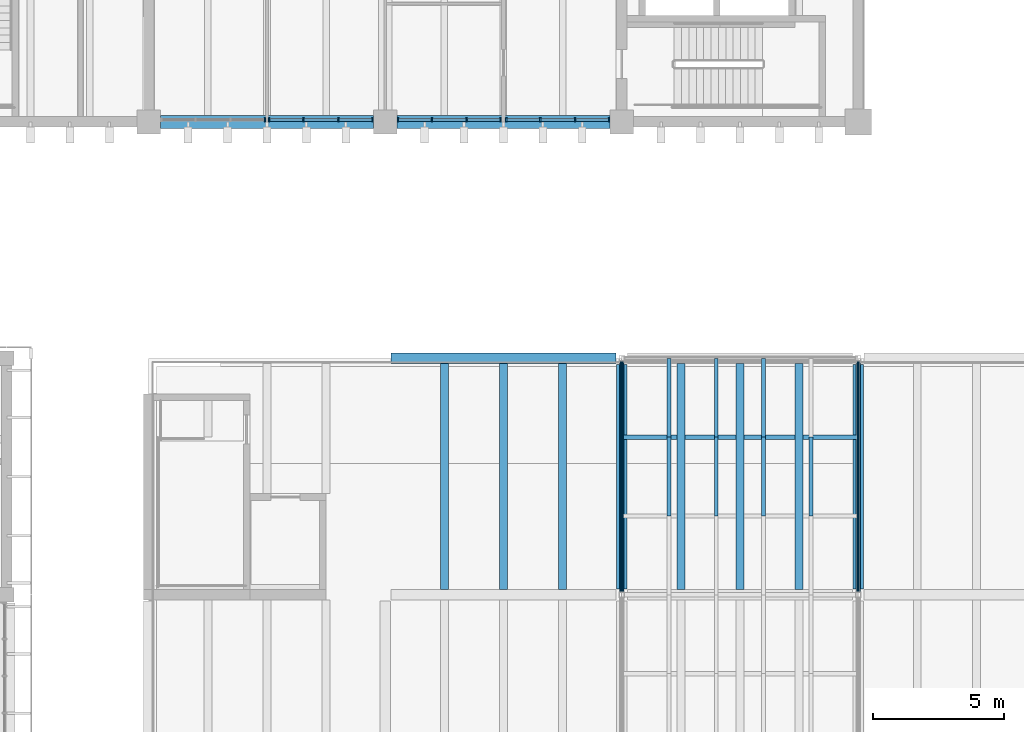
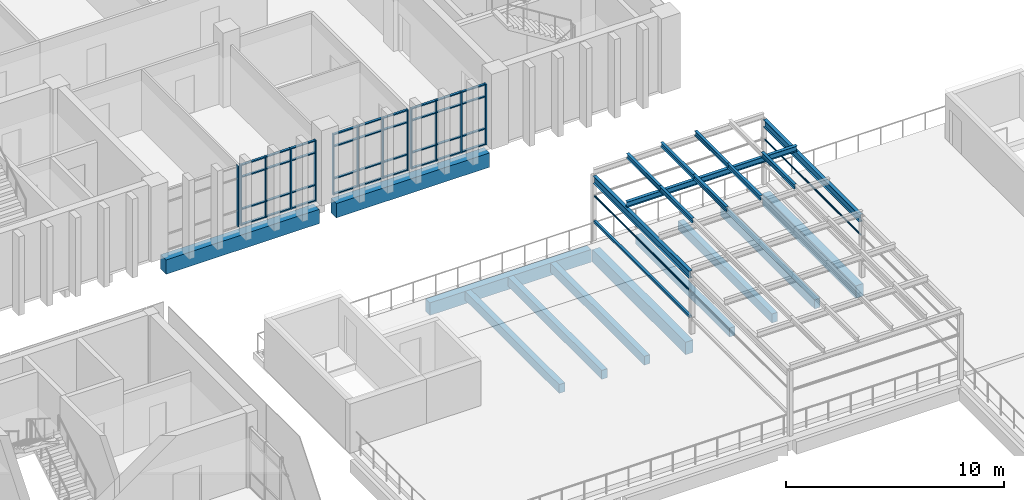
# One storey, part 24 of 74: 59 members, 14 beams, 4 elements without a shape of their own.
"""IFC4 building model written with IfcOpenShell, lengths in metres."""

from ifc_helpers import new_model, si_unit, direction, frame, origin, origin_2d, place, context, subcontext, project, spatial, rectangle, hollow_rectangle, hollow_circle, i_section, extrude, material, material_profile, profile_set, type_object, element, aggregate, save


model = new_model("IFC4")

# Units and contexts
model_context = context("Model", 3, precision=1e-05, world=origin(), true_north=direction((0.0, 1.0)))
body_context = subcontext(model_context, "Body", "Model", "MODEL_VIEW")
ifc_project = project(units=[si_unit("LENGTHUNIT", "METRE"), si_unit("AREAUNIT", "SQUARE_METRE"), si_unit("VOLUMEUNIT", "CUBIC_METRE"), si_unit("PLANEANGLEUNIT", "RADIAN"), si_unit("MASSUNIT", "GRAM", prefix="KILO")], contexts=[model_context])

# Site, building, storey
site_placement = place(None, origin())
site = spatial("IfcSite", under=ifc_project, at=site_placement, CompositionType="ELEMENT")
building_placement = place(site_placement, origin())
building = spatial("IfcBuilding", under=site, at=building_placement, Name="Merrow Basin Faculty of Sciences", CompositionType="ELEMENT")
storey_placement = place(building_placement, frame((0.0, 0.0, 13.5)))
storey = spatial("IfcBuildingStorey", under=building, at=storey_placement, Name="L03", CompositionType="ELEMENT", Elevation=13.5)

# Curtain wall, member
ifc_material_1 = material(Name="Aluminium alloy 6063", Category="aluminium")
curtain_wall_type = type_object("IfcCurtainWallType", Name="Unitised curtain wall 160", PredefinedType="NOTDEFINED", material=ifc_material_1)
curtain_wall_1_placement = place(storey_placement, origin())
curtain_wall_1 = element("IfcCurtainWall", 1, at=curtain_wall_1_placement, inside=storey, type_object=curtain_wall_type, Name="S curtain wall L03 1", PredefinedType="NOTDEFINED")
ifc_material_2 = material(Name="Aluminium alloy 6063", Category="aluminium")
ifc_material_profile_1 = material_profile(ifc_material_2, rectangle(XDim=0.159912109375, YDim=0.06005859375, at=origin_2d()))
ifc_profile_set_1 = profile_set([ifc_material_profile_1], Name="Aluminium alloy 6063")
member_type_1 = type_object("IfcMemberType", Name="Aluminium mullion 60x160", PredefinedType="MULLION", material=ifc_profile_set_1)
member_1_placement = place(storey_placement, frame((31.419921875, 142.080078125, 0.0), z_axis=(0.0, 0.0, 1.0), x_axis=(0.0, 1.0, 0.0)))
member_1 = element("IfcMember", 2, at=member_1_placement, type_object=member_type_1, Name="CW3 mullion 4", PredefinedType="MULLION", context=body_context, shape_type="SweptSolid", body=[
    extrude(rectangle(XDim=0.159912109375, YDim=0.06005859375, at=origin_2d()), origin(), (0.0, 0.0, 1.0), 3.39990234375),
])
aggregate(curtain_wall_1, [member_1])

# Curtain wall, members
curtain_wall_2_placement = place(storey_placement, origin())
curtain_wall_2 = element("IfcCurtainWall", 3, at=curtain_wall_2_placement, inside=storey, type_object=curtain_wall_type, Name="S curtain wall L03 2", PredefinedType="NOTDEFINED")
member_2_placement = place(storey_placement, frame((31.580078125, 142.080078125, 0.0), z_axis=(0.0, 0.0, 1.0), x_axis=(0.0, 1.0, 0.0)))
member_2 = element("IfcMember", 4, at=member_2_placement, type_object=member_type_1, Name="CW3 mullion 1", PredefinedType="MULLION", context=body_context, shape_type="SweptSolid", body=[
    extrude(rectangle(XDim=0.159912109375, YDim=0.06005859375, at=origin_2d()), origin(), (0.0, 0.0, 1.0), 3.39990234375),
])
member_3_placement = place(storey_placement, frame((32.88330078125, 142.080078125, 0.0), z_axis=(0.0, 0.0, 1.0), x_axis=(0.0, 1.0, 0.0)))
member_3 = element("IfcMember", 5, at=member_3_placement, type_object=member_type_1, Name="CW3 mullion 2", PredefinedType="MULLION", context=body_context, shape_type="SweptSolid", body=[
    extrude(rectangle(XDim=0.159912109375, YDim=0.06005859375, at=origin_2d()), origin(), (0.0, 0.0, 1.0), 3.39990234375),
])
member_4_placement = place(storey_placement, frame((34.216552734375, 142.080078125, 0.0), z_axis=(0.0, 0.0, 1.0), x_axis=(0.0, 1.0, 0.0)))
member_4 = element("IfcMember", 6, at=member_4_placement, type_object=member_type_1, Name="CW3 mullion 3", PredefinedType="MULLION", context=body_context, shape_type="SweptSolid", body=[
    extrude(rectangle(XDim=0.159912109375, YDim=0.06005859375, at=origin_2d()), origin(), (0.0, 0.0, 1.0), 3.39990234375),
])
member_5_placement = place(storey_placement, frame((35.52001953125, 142.080078125, 0.0), z_axis=(0.0, 0.0, 1.0), x_axis=(0.0, 1.0, 0.0)))
member_5 = element("IfcMember", 7, at=member_5_placement, type_object=member_type_1, Name="CW3 mullion 4", PredefinedType="MULLION", context=body_context, shape_type="SweptSolid", body=[
    extrude(rectangle(XDim=0.159912109375, YDim=0.06005859375, at=origin_2d()), origin(), (0.0, 0.0, 1.0), 3.39990234375),
])

curtain_wall_3_placement = place(storey_placement, origin())
curtain_wall_3 = element("IfcCurtainWall", 8, at=curtain_wall_3_placement, inside=storey, type_object=curtain_wall_type, Name="S curtain wall L03 3", PredefinedType="NOTDEFINED")
member_6_placement = place(storey_placement, frame((36.47998046875, 142.080078125, 0.0), z_axis=(0.0, 0.0, 1.0), x_axis=(0.0, 1.0, 0.0)))
member_6 = element("IfcMember", 9, at=member_6_placement, type_object=member_type_1, Name="CW3 mullion 1", PredefinedType="MULLION", context=body_context, shape_type="SweptSolid", body=[
    extrude(rectangle(XDim=0.159912109375, YDim=0.06005859375, at=origin_2d()), origin(), (0.0, 0.0, 1.0), 3.39990234375),
])
member_7_placement = place(storey_placement, frame((37.77490234375, 142.080078125, 0.0), z_axis=(0.0, 0.0, 1.0), x_axis=(0.0, 1.0, 0.0)))
member_7 = element("IfcMember", 10, at=member_7_placement, type_object=member_type_1, Name="CW3 mullion 2", PredefinedType="MULLION", context=body_context, shape_type="SweptSolid", body=[
    extrude(rectangle(XDim=0.159912109375, YDim=0.06005859375, at=origin_2d()), origin(), (0.0, 0.0, 1.0), 3.39990234375),
])
member_8_placement = place(storey_placement, frame((39.10009765625, 142.080078125, 0.0), z_axis=(0.0, 0.0, 1.0), x_axis=(0.0, 1.0, 0.0)))
member_8 = element("IfcMember", 11, at=member_8_placement, type_object=member_type_1, Name="CW3 mullion 3", PredefinedType="MULLION", context=body_context, shape_type="SweptSolid", body=[
    extrude(rectangle(XDim=0.159912109375, YDim=0.06005859375, at=origin_2d()), origin(), (0.0, 0.0, 1.0), 3.39990234375),
])
member_9_placement = place(storey_placement, frame((40.39501953125, 142.080078125, 0.0), z_axis=(0.0, 0.0, 1.0), x_axis=(0.0, 1.0, 0.0)))
member_9 = element("IfcMember", 12, at=member_9_placement, type_object=member_type_1, Name="CW3 mullion 4", PredefinedType="MULLION", context=body_context, shape_type="SweptSolid", body=[
    extrude(rectangle(XDim=0.159912109375, YDim=0.06005859375, at=origin_2d()), origin(), (0.0, 0.0, 1.0), 3.39990234375),
])

curtain_wall_4_placement = place(storey_placement, origin())
curtain_wall_4 = element("IfcCurtainWall", 13, at=curtain_wall_4_placement, inside=storey, type_object=curtain_wall_type, Name="S curtain wall L03 4", PredefinedType="NOTDEFINED")
member_10_placement = place(storey_placement, frame((40.60498046875, 142.080078125, 0.0), z_axis=(0.0, 0.0, 1.0), x_axis=(0.0, 1.0, 0.0)))
member_10 = element("IfcMember", 14, at=member_10_placement, type_object=member_type_1, Name="CW3 mullion 1", PredefinedType="MULLION", context=body_context, shape_type="SweptSolid", body=[
    extrude(rectangle(XDim=0.159912109375, YDim=0.06005859375, at=origin_2d()), origin(), (0.0, 0.0, 1.0), 3.39990234375),
])
member_11_placement = place(storey_placement, frame((41.89990234375, 142.080078125, 0.0), z_axis=(0.0, 0.0, 1.0), x_axis=(0.0, 1.0, 0.0)))
member_11 = element("IfcMember", 15, at=member_11_placement, type_object=member_type_1, Name="CW3 mullion 2", PredefinedType="MULLION", context=body_context, shape_type="SweptSolid", body=[
    extrude(rectangle(XDim=0.159912109375, YDim=0.06005859375, at=origin_2d()), origin(), (0.0, 0.0, 1.0), 3.39990234375),
])
member_12_placement = place(storey_placement, frame((43.22509765625, 142.080078125, 0.0), z_axis=(0.0, 0.0, 1.0), x_axis=(0.0, 1.0, 0.0)))
member_12 = element("IfcMember", 16, at=member_12_placement, type_object=member_type_1, Name="CW3 mullion 3", PredefinedType="MULLION", context=body_context, shape_type="SweptSolid", body=[
    extrude(rectangle(XDim=0.159912109375, YDim=0.06005859375, at=origin_2d()), origin(), (0.0, 0.0, 1.0), 3.39990234375),
])
member_13_placement = place(storey_placement, frame((44.52001953125, 142.080078125, 0.0), z_axis=(0.0, 0.0, 1.0), x_axis=(0.0, 1.0, 0.0)))
member_13 = element("IfcMember", 17, at=member_13_placement, type_object=member_type_1, Name="CW3 mullion 4", PredefinedType="MULLION", context=body_context, shape_type="SweptSolid", body=[
    extrude(rectangle(XDim=0.159912109375, YDim=0.06005859375, at=origin_2d()), origin(), (0.0, 0.0, 1.0), 3.39990234375),
])

# Member
ifc_material_3 = material(Name="Aluminium alloy 6063", Category="aluminium")
ifc_material_profile_2 = material_profile(ifc_material_3, rectangle(XDim=0.1201171875, YDim=0.06005859375, at=origin_2d()))
ifc_profile_set_2 = profile_set([ifc_material_profile_2], Name="Aluminium alloy 6063")
member_type_2 = type_object("IfcMemberType", Name="Aluminium transom 60x120", PredefinedType="USERDEFINED", material=ifc_profile_set_2)
member_14_placement = place(storey_placement, frame((31.610107421875, 142.080078125, 0.030029296875), z_axis=(1.0, 0.0, 0.0), x_axis=(0.0, 1.0, 0.0)))
member_14 = element("IfcMember", 18, at=member_14_placement, type_object=member_type_2, Name="CW3 transom 1.1", ObjectType="TRANSOM", PredefinedType="USERDEFINED", context=body_context, shape_type="SweptSolid", body=[
    extrude(rectangle(XDim=0.1201171875, YDim=0.06005859375, at=origin_2d()), origin(), (0.0, 0.0, 1.0), 1.2431640625),
])

member_15_placement = place(storey_placement, frame((31.610107421875, 142.080078125, 0.89990234375), z_axis=(1.0, 0.0, 0.0), x_axis=(0.0, 1.0, 0.0)))
member_15 = element("IfcMember", 19, at=member_15_placement, type_object=member_type_2, Name="CW3 transom 1.2", ObjectType="TRANSOM", PredefinedType="USERDEFINED", context=body_context, shape_type="SweptSolid", body=[
    extrude(rectangle(XDim=0.1201171875, YDim=0.06005859375, at=origin_2d()), origin(), (0.0, 0.0, 1.0), 1.2431640625),
])

member_16_placement = place(storey_placement, frame((31.610107421875, 142.080078125, 2.699951171875), z_axis=(1.0, 0.0, 0.0), x_axis=(0.0, 1.0, 0.0)))
member_16 = element("IfcMember", 20, at=member_16_placement, type_object=member_type_2, Name="CW3 transom 1.3", ObjectType="TRANSOM", PredefinedType="USERDEFINED", context=body_context, shape_type="SweptSolid", body=[
    extrude(rectangle(XDim=0.1201171875, YDim=0.06005859375, at=origin_2d()), origin(), (0.0, 0.0, 1.0), 1.2431640625),
])

member_17_placement = place(storey_placement, frame((31.610107421875, 142.080078125, 3.3701171875), z_axis=(1.0, 0.0, 0.0), x_axis=(0.0, 1.0, 0.0)))
member_17 = element("IfcMember", 21, at=member_17_placement, type_object=member_type_2, Name="CW3 transom 1.4", ObjectType="TRANSOM", PredefinedType="USERDEFINED", context=body_context, shape_type="SweptSolid", body=[
    extrude(rectangle(XDim=0.1201171875, YDim=0.06005859375, at=origin_2d()), origin(), (0.0, 0.0, 1.0), 1.2431640625),
])

member_18_placement = place(storey_placement, frame((32.913330078125, 142.080078125, 0.030029296875), z_axis=(1.0, 0.0, 0.0), x_axis=(0.0, 1.0, 0.0)))
member_18 = element("IfcMember", 22, at=member_18_placement, type_object=member_type_2, Name="CW3 transom 2.1", ObjectType="TRANSOM", PredefinedType="USERDEFINED", context=body_context, shape_type="SweptSolid", body=[
    extrude(rectangle(XDim=0.1201171875, YDim=0.06005859375, at=origin_2d()), origin(), (0.0, 0.0, 1.0), 1.2734375),
])

member_19_placement = place(storey_placement, frame((32.913330078125, 142.080078125, 0.89990234375), z_axis=(1.0, 0.0, 0.0), x_axis=(0.0, 1.0, 0.0)))
member_19 = element("IfcMember", 23, at=member_19_placement, type_object=member_type_2, Name="CW3 transom 2.2", ObjectType="TRANSOM", PredefinedType="USERDEFINED", context=body_context, shape_type="SweptSolid", body=[
    extrude(rectangle(XDim=0.1201171875, YDim=0.06005859375, at=origin_2d()), origin(), (0.0, 0.0, 1.0), 1.2734375),
])

member_20_placement = place(storey_placement, frame((32.913330078125, 142.080078125, 2.699951171875), z_axis=(1.0, 0.0, 0.0), x_axis=(0.0, 1.0, 0.0)))
member_20 = element("IfcMember", 24, at=member_20_placement, type_object=member_type_2, Name="CW3 transom 2.3", ObjectType="TRANSOM", PredefinedType="USERDEFINED", context=body_context, shape_type="SweptSolid", body=[
    extrude(rectangle(XDim=0.1201171875, YDim=0.06005859375, at=origin_2d()), origin(), (0.0, 0.0, 1.0), 1.2734375),
])

member_21_placement = place(storey_placement, frame((32.913330078125, 142.080078125, 3.3701171875), z_axis=(1.0, 0.0, 0.0), x_axis=(0.0, 1.0, 0.0)))
member_21 = element("IfcMember", 25, at=member_21_placement, type_object=member_type_2, Name="CW3 transom 2.4", ObjectType="TRANSOM", PredefinedType="USERDEFINED", context=body_context, shape_type="SweptSolid", body=[
    extrude(rectangle(XDim=0.1201171875, YDim=0.06005859375, at=origin_2d()), origin(), (0.0, 0.0, 1.0), 1.2734375),
])

member_22_placement = place(storey_placement, frame((34.24658203125, 142.080078125, 0.030029296875), z_axis=(1.0, 0.0, 0.0), x_axis=(0.0, 1.0, 0.0)))
member_22 = element("IfcMember", 26, at=member_22_placement, type_object=member_type_2, Name="CW3 transom 3.1", ObjectType="TRANSOM", PredefinedType="USERDEFINED", context=body_context, shape_type="SweptSolid", body=[
    extrude(rectangle(XDim=0.1201171875, YDim=0.06005859375, at=origin_2d()), origin(), (0.0, 0.0, 1.0), 1.243408203125),
])

member_23_placement = place(storey_placement, frame((34.24658203125, 142.080078125, 0.89990234375), z_axis=(1.0, 0.0, 0.0), x_axis=(0.0, 1.0, 0.0)))
member_23 = element("IfcMember", 27, at=member_23_placement, type_object=member_type_2, Name="CW3 transom 3.2", ObjectType="TRANSOM", PredefinedType="USERDEFINED", context=body_context, shape_type="SweptSolid", body=[
    extrude(rectangle(XDim=0.1201171875, YDim=0.06005859375, at=origin_2d()), origin(), (0.0, 0.0, 1.0), 1.243408203125),
])

member_24_placement = place(storey_placement, frame((34.24658203125, 142.080078125, 2.699951171875), z_axis=(1.0, 0.0, 0.0), x_axis=(0.0, 1.0, 0.0)))
member_24 = element("IfcMember", 28, at=member_24_placement, type_object=member_type_2, Name="CW3 transom 3.3", ObjectType="TRANSOM", PredefinedType="USERDEFINED", context=body_context, shape_type="SweptSolid", body=[
    extrude(rectangle(XDim=0.1201171875, YDim=0.06005859375, at=origin_2d()), origin(), (0.0, 0.0, 1.0), 1.243408203125),
])

member_25_placement = place(storey_placement, frame((34.24658203125, 142.080078125, 3.3701171875), z_axis=(1.0, 0.0, 0.0), x_axis=(0.0, 1.0, 0.0)))
member_25 = element("IfcMember", 29, at=member_25_placement, type_object=member_type_2, Name="CW3 transom 3.4", ObjectType="TRANSOM", PredefinedType="USERDEFINED", context=body_context, shape_type="SweptSolid", body=[
    extrude(rectangle(XDim=0.1201171875, YDim=0.06005859375, at=origin_2d()), origin(), (0.0, 0.0, 1.0), 1.243408203125),
])

aggregate(curtain_wall_2, [member_2, member_3, member_4, member_5, member_14, member_15, member_16, member_17, member_18, member_19, member_20, member_21, member_22, member_23, member_24, member_25])

member_26_placement = place(storey_placement, frame((36.510009765625, 142.080078125, 0.030029296875), z_axis=(1.0, 0.0, 0.0), x_axis=(0.0, 1.0, 0.0)))
member_26 = element("IfcMember", 30, at=member_26_placement, type_object=member_type_2, Name="CW3 transom 1.1", ObjectType="TRANSOM", PredefinedType="USERDEFINED", context=body_context, shape_type="SweptSolid", body=[
    extrude(rectangle(XDim=0.1201171875, YDim=0.06005859375, at=origin_2d()), origin(), (0.0, 0.0, 1.0), 1.235107421875),
])

member_27_placement = place(storey_placement, frame((36.510009765625, 142.080078125, 0.89990234375), z_axis=(1.0, 0.0, 0.0), x_axis=(0.0, 1.0, 0.0)))
member_27 = element("IfcMember", 31, at=member_27_placement, type_object=member_type_2, Name="CW3 transom 1.2", ObjectType="TRANSOM", PredefinedType="USERDEFINED", context=body_context, shape_type="SweptSolid", body=[
    extrude(rectangle(XDim=0.1201171875, YDim=0.06005859375, at=origin_2d()), origin(), (0.0, 0.0, 1.0), 1.235107421875),
])

member_28_placement = place(storey_placement, frame((36.510009765625, 142.080078125, 2.699951171875), z_axis=(1.0, 0.0, 0.0), x_axis=(0.0, 1.0, 0.0)))
member_28 = element("IfcMember", 32, at=member_28_placement, type_object=member_type_2, Name="CW3 transom 1.3", ObjectType="TRANSOM", PredefinedType="USERDEFINED", context=body_context, shape_type="SweptSolid", body=[
    extrude(rectangle(XDim=0.1201171875, YDim=0.06005859375, at=origin_2d()), origin(), (0.0, 0.0, 1.0), 1.235107421875),
])

member_29_placement = place(storey_placement, frame((36.510009765625, 142.080078125, 3.3701171875), z_axis=(1.0, 0.0, 0.0), x_axis=(0.0, 1.0, 0.0)))
member_29 = element("IfcMember", 33, at=member_29_placement, type_object=member_type_2, Name="CW3 transom 1.4", ObjectType="TRANSOM", PredefinedType="USERDEFINED", context=body_context, shape_type="SweptSolid", body=[
    extrude(rectangle(XDim=0.1201171875, YDim=0.06005859375, at=origin_2d()), origin(), (0.0, 0.0, 1.0), 1.235107421875),
])

member_30_placement = place(storey_placement, frame((37.804931640625, 142.080078125, 0.030029296875), z_axis=(1.0, 0.0, 0.0), x_axis=(0.0, 1.0, 0.0)))
member_30 = element("IfcMember", 34, at=member_30_placement, type_object=member_type_2, Name="CW3 transom 2.1", ObjectType="TRANSOM", PredefinedType="USERDEFINED", context=body_context, shape_type="SweptSolid", body=[
    extrude(rectangle(XDim=0.1201171875, YDim=0.06005859375, at=origin_2d()), origin(), (0.0, 0.0, 1.0), 1.26513671875),
])

member_31_placement = place(storey_placement, frame((37.804931640625, 142.080078125, 0.89990234375), z_axis=(1.0, 0.0, 0.0), x_axis=(0.0, 1.0, 0.0)))
member_31 = element("IfcMember", 35, at=member_31_placement, type_object=member_type_2, Name="CW3 transom 2.2", ObjectType="TRANSOM", PredefinedType="USERDEFINED", context=body_context, shape_type="SweptSolid", body=[
    extrude(rectangle(XDim=0.1201171875, YDim=0.06005859375, at=origin_2d()), origin(), (0.0, 0.0, 1.0), 1.26513671875),
])

member_32_placement = place(storey_placement, frame((37.804931640625, 142.080078125, 2.699951171875), z_axis=(1.0, 0.0, 0.0), x_axis=(0.0, 1.0, 0.0)))
member_32 = element("IfcMember", 36, at=member_32_placement, type_object=member_type_2, Name="CW3 transom 2.3", ObjectType="TRANSOM", PredefinedType="USERDEFINED", context=body_context, shape_type="SweptSolid", body=[
    extrude(rectangle(XDim=0.1201171875, YDim=0.06005859375, at=origin_2d()), origin(), (0.0, 0.0, 1.0), 1.26513671875),
])

member_33_placement = place(storey_placement, frame((37.804931640625, 142.080078125, 3.3701171875), z_axis=(1.0, 0.0, 0.0), x_axis=(0.0, 1.0, 0.0)))
member_33 = element("IfcMember", 37, at=member_33_placement, type_object=member_type_2, Name="CW3 transom 2.4", ObjectType="TRANSOM", PredefinedType="USERDEFINED", context=body_context, shape_type="SweptSolid", body=[
    extrude(rectangle(XDim=0.1201171875, YDim=0.06005859375, at=origin_2d()), origin(), (0.0, 0.0, 1.0), 1.26513671875),
])

member_34_placement = place(storey_placement, frame((39.1298828125, 142.080078125, 0.030029296875), z_axis=(1.0, 0.0, 0.0), x_axis=(0.0, 1.0, 0.0)))
member_34 = element("IfcMember", 38, at=member_34_placement, type_object=member_type_2, Name="CW3 transom 3.1", ObjectType="TRANSOM", PredefinedType="USERDEFINED", context=body_context, shape_type="SweptSolid", body=[
    extrude(rectangle(XDim=0.1201171875, YDim=0.06005859375, at=origin_2d()), origin(), (0.0, 0.0, 1.0), 1.235107421875),
])

member_35_placement = place(storey_placement, frame((39.1298828125, 142.080078125, 0.89990234375), z_axis=(1.0, 0.0, 0.0), x_axis=(0.0, 1.0, 0.0)))
member_35 = element("IfcMember", 39, at=member_35_placement, type_object=member_type_2, Name="CW3 transom 3.2", ObjectType="TRANSOM", PredefinedType="USERDEFINED", context=body_context, shape_type="SweptSolid", body=[
    extrude(rectangle(XDim=0.1201171875, YDim=0.06005859375, at=origin_2d()), origin(), (0.0, 0.0, 1.0), 1.235107421875),
])

member_36_placement = place(storey_placement, frame((39.1298828125, 142.080078125, 2.699951171875), z_axis=(1.0, 0.0, 0.0), x_axis=(0.0, 1.0, 0.0)))
member_36 = element("IfcMember", 40, at=member_36_placement, type_object=member_type_2, Name="CW3 transom 3.3", ObjectType="TRANSOM", PredefinedType="USERDEFINED", context=body_context, shape_type="SweptSolid", body=[
    extrude(rectangle(XDim=0.1201171875, YDim=0.06005859375, at=origin_2d()), origin(), (0.0, 0.0, 1.0), 1.235107421875),
])

member_37_placement = place(storey_placement, frame((39.1298828125, 142.080078125, 3.3701171875), z_axis=(1.0, 0.0, 0.0), x_axis=(0.0, 1.0, 0.0)))
member_37 = element("IfcMember", 41, at=member_37_placement, type_object=member_type_2, Name="CW3 transom 3.4", ObjectType="TRANSOM", PredefinedType="USERDEFINED", context=body_context, shape_type="SweptSolid", body=[
    extrude(rectangle(XDim=0.1201171875, YDim=0.06005859375, at=origin_2d()), origin(), (0.0, 0.0, 1.0), 1.235107421875),
])

aggregate(curtain_wall_3, [member_6, member_7, member_8, member_9, member_26, member_27, member_28, member_29, member_30, member_31, member_32, member_33, member_34, member_35, member_36, member_37])

member_38_placement = place(storey_placement, frame((40.635009765625, 142.080078125, 0.030029296875), z_axis=(1.0, 0.0, 0.0), x_axis=(0.0, 1.0, 0.0)))
member_38 = element("IfcMember", 42, at=member_38_placement, type_object=member_type_2, Name="CW3 transom 1.1", ObjectType="TRANSOM", PredefinedType="USERDEFINED", context=body_context, shape_type="SweptSolid", body=[
    extrude(rectangle(XDim=0.1201171875, YDim=0.06005859375, at=origin_2d()), origin(), (0.0, 0.0, 1.0), 1.235107421875),
])

member_39_placement = place(storey_placement, frame((40.635009765625, 142.080078125, 0.89990234375), z_axis=(1.0, 0.0, 0.0), x_axis=(0.0, 1.0, 0.0)))
member_39 = element("IfcMember", 43, at=member_39_placement, type_object=member_type_2, Name="CW3 transom 1.2", ObjectType="TRANSOM", PredefinedType="USERDEFINED", context=body_context, shape_type="SweptSolid", body=[
    extrude(rectangle(XDim=0.1201171875, YDim=0.06005859375, at=origin_2d()), origin(), (0.0, 0.0, 1.0), 1.235107421875),
])

member_40_placement = place(storey_placement, frame((40.635009765625, 142.080078125, 2.699951171875), z_axis=(1.0, 0.0, 0.0), x_axis=(0.0, 1.0, 0.0)))
member_40 = element("IfcMember", 44, at=member_40_placement, type_object=member_type_2, Name="CW3 transom 1.3", ObjectType="TRANSOM", PredefinedType="USERDEFINED", context=body_context, shape_type="SweptSolid", body=[
    extrude(rectangle(XDim=0.1201171875, YDim=0.06005859375, at=origin_2d()), origin(), (0.0, 0.0, 1.0), 1.235107421875),
])

member_41_placement = place(storey_placement, frame((40.635009765625, 142.080078125, 3.3701171875), z_axis=(1.0, 0.0, 0.0), x_axis=(0.0, 1.0, 0.0)))
member_41 = element("IfcMember", 45, at=member_41_placement, type_object=member_type_2, Name="CW3 transom 1.4", ObjectType="TRANSOM", PredefinedType="USERDEFINED", context=body_context, shape_type="SweptSolid", body=[
    extrude(rectangle(XDim=0.1201171875, YDim=0.06005859375, at=origin_2d()), origin(), (0.0, 0.0, 1.0), 1.235107421875),
])

member_42_placement = place(storey_placement, frame((41.929931640625, 142.080078125, 0.030029296875), z_axis=(1.0, 0.0, 0.0), x_axis=(0.0, 1.0, 0.0)))
member_42 = element("IfcMember", 46, at=member_42_placement, type_object=member_type_2, Name="CW3 transom 2.1", ObjectType="TRANSOM", PredefinedType="USERDEFINED", context=body_context, shape_type="SweptSolid", body=[
    extrude(rectangle(XDim=0.1201171875, YDim=0.06005859375, at=origin_2d()), origin(), (0.0, 0.0, 1.0), 1.26513671875),
])

member_43_placement = place(storey_placement, frame((41.929931640625, 142.080078125, 0.89990234375), z_axis=(1.0, 0.0, 0.0), x_axis=(0.0, 1.0, 0.0)))
member_43 = element("IfcMember", 47, at=member_43_placement, type_object=member_type_2, Name="CW3 transom 2.2", ObjectType="TRANSOM", PredefinedType="USERDEFINED", context=body_context, shape_type="SweptSolid", body=[
    extrude(rectangle(XDim=0.1201171875, YDim=0.06005859375, at=origin_2d()), origin(), (0.0, 0.0, 1.0), 1.26513671875),
])

member_44_placement = place(storey_placement, frame((41.929931640625, 142.080078125, 2.699951171875), z_axis=(1.0, 0.0, 0.0), x_axis=(0.0, 1.0, 0.0)))
member_44 = element("IfcMember", 48, at=member_44_placement, type_object=member_type_2, Name="CW3 transom 2.3", ObjectType="TRANSOM", PredefinedType="USERDEFINED", context=body_context, shape_type="SweptSolid", body=[
    extrude(rectangle(XDim=0.1201171875, YDim=0.06005859375, at=origin_2d()), origin(), (0.0, 0.0, 1.0), 1.26513671875),
])

member_45_placement = place(storey_placement, frame((41.929931640625, 142.080078125, 3.3701171875), z_axis=(1.0, 0.0, 0.0), x_axis=(0.0, 1.0, 0.0)))
member_45 = element("IfcMember", 49, at=member_45_placement, type_object=member_type_2, Name="CW3 transom 2.4", ObjectType="TRANSOM", PredefinedType="USERDEFINED", context=body_context, shape_type="SweptSolid", body=[
    extrude(rectangle(XDim=0.1201171875, YDim=0.06005859375, at=origin_2d()), origin(), (0.0, 0.0, 1.0), 1.26513671875),
])

member_46_placement = place(storey_placement, frame((43.2548828125, 142.080078125, 0.030029296875), z_axis=(1.0, 0.0, 0.0), x_axis=(0.0, 1.0, 0.0)))
member_46 = element("IfcMember", 50, at=member_46_placement, type_object=member_type_2, Name="CW3 transom 3.1", ObjectType="TRANSOM", PredefinedType="USERDEFINED", context=body_context, shape_type="SweptSolid", body=[
    extrude(rectangle(XDim=0.1201171875, YDim=0.06005859375, at=origin_2d()), origin(), (0.0, 0.0, 1.0), 1.235107421875),
])

member_47_placement = place(storey_placement, frame((43.2548828125, 142.080078125, 0.89990234375), z_axis=(1.0, 0.0, 0.0), x_axis=(0.0, 1.0, 0.0)))
member_47 = element("IfcMember", 51, at=member_47_placement, type_object=member_type_2, Name="CW3 transom 3.2", ObjectType="TRANSOM", PredefinedType="USERDEFINED", context=body_context, shape_type="SweptSolid", body=[
    extrude(rectangle(XDim=0.1201171875, YDim=0.06005859375, at=origin_2d()), origin(), (0.0, 0.0, 1.0), 1.235107421875),
])

member_48_placement = place(storey_placement, frame((43.2548828125, 142.080078125, 2.699951171875), z_axis=(1.0, 0.0, 0.0), x_axis=(0.0, 1.0, 0.0)))
member_48 = element("IfcMember", 52, at=member_48_placement, type_object=member_type_2, Name="CW3 transom 3.3", ObjectType="TRANSOM", PredefinedType="USERDEFINED", context=body_context, shape_type="SweptSolid", body=[
    extrude(rectangle(XDim=0.1201171875, YDim=0.06005859375, at=origin_2d()), origin(), (0.0, 0.0, 1.0), 1.235107421875),
])

member_49_placement = place(storey_placement, frame((43.2548828125, 142.080078125, 3.3701171875), z_axis=(1.0, 0.0, 0.0), x_axis=(0.0, 1.0, 0.0)))
member_49 = element("IfcMember", 53, at=member_49_placement, type_object=member_type_2, Name="CW3 transom 3.4", ObjectType="TRANSOM", PredefinedType="USERDEFINED", context=body_context, shape_type="SweptSolid", body=[
    extrude(rectangle(XDim=0.1201171875, YDim=0.06005859375, at=origin_2d()), origin(), (0.0, 0.0, 1.0), 1.235107421875),
])

aggregate(curtain_wall_4, [member_10, member_11, member_12, member_13, member_38, member_39, member_40, member_41, member_42, member_43, member_44, member_45, member_46, member_47, member_48, member_49])

# Beams
ifc_material_4 = material(Name="Concrete C40/50", Category="concrete")
ifc_material_profile_3 = material_profile(ifc_material_4, rectangle(XDim=0.39990234375, YDim=0.699951171875, at=origin_2d()))
ifc_profile_set_3 = profile_set([ifc_material_profile_3], Name="Concrete C40/50")
beam_type_1 = type_object("IfcBeamType", Name="Beam RC400x700 C40/50", PredefinedType="BEAM", material=ifc_profile_set_3)
for number, where, z_axis, x_axis, name in (
    (54, (36.22509765625, 133.0, -0.699951171875), (1.0, 0.0, 0.0), (0.0, 1.0, 0.0), "B3 L03 017"),
    (55, (45.0, 124.22509765625, -0.699951171875), (0.0, 1.0, 0.0), (-1.0, 0.0, 0.0), "B3 L03 023"),
    (56, (54.0, 124.22509765625, -0.699951171875), (0.0, 1.0, 0.0), (-1.0, 0.0, 0.0), "B3 L03 031"),
):
    element("IfcBeam", number, at=place(storey_placement, frame(where, z_axis=z_axis, x_axis=x_axis)), inside=storey, type_object=beam_type_1, Name=name, PredefinedType="BEAM", context=body_context, shape_type="SweptSolid", body=[
        extrude(rectangle(XDim=0.39990234375, YDim=0.699951171875, at=origin_2d()), origin(), (0.0, 0.0, 1.0), 8.5498046875),
    ])
ifc_material_5 = material(Name="Concrete C40/50", Category="concrete")
ifc_material_profile_4 = material_profile(ifc_material_5, rectangle(XDim=0.5, YDim=0.800048828125, at=origin_2d()))
ifc_profile_set_4 = profile_set([ifc_material_profile_4], Name="Concrete C40/50")
beam_type_2 = type_object("IfcBeamType", Name="Beam RC500x800 C40/50", PredefinedType="BEAM", material=ifc_profile_set_4)
for number, where, z_axis, x_axis, name in (
    (57, (27.449951171875, 142.0, -0.699951171875), (1.0, 0.0, 0.0), (0.0, 1.0, 0.0), "B4 L03 001"),
    (58, (36.449951171875, 142.0, -0.699951171875), (1.0, 0.0, 0.0), (0.0, 1.0, 0.0), "B4 L03 002"),
):
    element("IfcBeam", number, at=place(storey_placement, frame(where, z_axis=z_axis, x_axis=x_axis)), inside=storey, type_object=beam_type_2, Name=name, PredefinedType="BEAM", context=body_context, shape_type="SweptSolid", body=[
        extrude(rectangle(XDim=0.5, YDim=0.800048828125, at=origin_2d()), origin(), (0.0, 0.0, 1.0), 8.10009765625),
    ])
ifc_material_6 = material(Name="Concrete C40/50", Category="concrete")
ifc_material_profile_5 = material_profile(ifc_material_6, rectangle(XDim=0.300048828125, YDim=0.5, at=origin_2d()))
ifc_profile_set_5 = profile_set([ifc_material_profile_5], Name="Concrete C40/50")
beam_type_3 = type_object("IfcBeamType", Name="Terrace roof joist RC300x500 C40/50", PredefinedType="BEAM", material=ifc_profile_set_5)
for number, where, z_axis, x_axis, name in (
    (59, (38.25, 124.199951171875, -0.60009765625), (0.0, 1.0, 0.0), (-1.0, 0.0, 0.0), "JD1 L03 062"),
    (60, (40.5, 124.199951171875, -0.60009765625), (0.0, 1.0, 0.0), (-1.0, 0.0, 0.0), "JD1 L03 063"),
    (61, (42.75, 124.199951171875, -0.60009765625), (0.0, 1.0, 0.0), (-1.0, 0.0, 0.0), "JD1 L03 064"),
    (62, (47.25, 124.199951171875, -0.60009765625), (0.0, 1.0, 0.0), (-1.0, 0.0, 0.0), "JD1 L03 068"),
    (63, (49.5, 124.199951171875, -0.60009765625), (0.0, 1.0, 0.0), (-1.0, 0.0, 0.0), "JD1 L03 069"),
    (64, (51.75, 124.199951171875, -0.60009765625), (0.0, 1.0, 0.0), (-1.0, 0.0, 0.0), "JD1 L03 070"),
):
    element("IfcBeam", number, at=place(storey_placement, frame(where, z_axis=z_axis, x_axis=x_axis)), inside=storey, type_object=beam_type_3, Name=name, PredefinedType="BEAM", context=body_context, shape_type="SweptSolid", body=[
        extrude(rectangle(XDim=0.300048828125, YDim=0.5, at=origin_2d()), origin(), (0.0, 0.0, 1.0), 8.60009765625),
    ])
ifc_material_7 = material(Name="Steel ASTM A992", Category="steel")
ifc_material_profile_6 = material_profile(ifc_material_7, i_section(OverallWidth=0.177978515625, OverallDepth=0.406982421875, WebThickness=0.0078125, FlangeThickness=0.0126953125, at=origin_2d()))
ifc_profile_set_6 = profile_set([ifc_material_profile_6], Name="Steel ASTM A992")
beam_type_4 = type_object("IfcBeamType", Name="Trellis girder W410x60", PredefinedType="BEAM", material=ifc_profile_set_6)
for number, where, z_axis, x_axis, name in (
    (65, (45.0, 124.10205078125, 3.447021484375), (0.0, 1.0, 0.0), (-1.0, 0.0, 0.0), "TG1 L03 043"),
    (66, (54.0, 124.10205078125, 3.447021484375), (0.0, 1.0, 0.0), (-1.0, 0.0, 0.0), "TG1 L03 045"),
):
    element("IfcBeam", number, at=place(storey_placement, frame(where, z_axis=z_axis, x_axis=x_axis)), inside=storey, type_object=beam_type_4, Name=name, PredefinedType="BEAM", context=body_context, shape_type="SweptSolid", body=[
        extrude(i_section(OverallWidth=0.177978515625, OverallDepth=0.406982421875, WebThickness=0.0078125, FlangeThickness=0.0126953125, at=origin_2d()), origin(), (0.0, 0.0, 1.0), 8.796875),
    ])

# Members
ifc_material_8 = material(Name="Steel ASTM A500 Gr C", Category="steel")
ifc_material_profile_7 = material_profile(ifc_material_8, hollow_rectangle(XDim=0.126953125, YDim=0.126953125, WallThickness=0.00634765625, at=origin_2d()))
ifc_profile_set_7 = profile_set([ifc_material_profile_7], Name="Steel ASTM A500 Gr C")
member_type_3 = type_object("IfcMemberType", Name="Trellis kick rail HSS127x127x6.4", PredefinedType="MEMBER", material=ifc_profile_set_7)
member_50_placement = place(storey_placement, frame((45.0, 124.117919921875, 1.10009765625), z_axis=(0.0, 1.0, 0.0), x_axis=(-1.0, 0.0, 0.0)))
element("IfcMember", 67, at=member_50_placement, inside=storey, type_object=member_type_3, Name="TK1 L03 032", PredefinedType="MEMBER", context=body_context, shape_type="SweptSolid", body=[
    extrude(hollow_rectangle(XDim=0.126953125, YDim=0.126953125, WallThickness=0.00634765625, at=origin_2d()), origin(), (0.0, 0.0, 1.0), 8.76513671875),
])
ifc_material_9 = material(Name="Steel ASTM A500 Gr C", Category="steel")
ifc_material_profile_8 = material_profile(ifc_material_9, hollow_circle(Radius=0.04443359375, WallThickness=0.0048828125, at=origin_2d()))
ifc_profile_set_8 = profile_set([ifc_material_profile_8], Name="Steel ASTM A500 Gr C")
member_type_4 = type_object("IfcMemberType", Name="Trellis longitudinal brace CHS89x5.0", PredefinedType="BRACE", material=ifc_profile_set_8)
for number, where, z_axis, x_axis, name in (
    (68, (45.0, 124.117919921875, 2.506103515625), (0.0, 1.0, 0.0), (-1.0, 0.0, 0.0), "TL1 L03 028"),
    (69, (54.0, 124.117919921875, 2.506103515625), (0.0, 1.0, 0.0), (-1.0, 0.0, 0.0), "TL1 L03 030"),
):
    element("IfcMember", number, at=place(storey_placement, frame(where, z_axis=z_axis, x_axis=x_axis)), inside=storey, type_object=member_type_4, Name=name, PredefinedType="BRACE", context=body_context, shape_type="SweptSolid", body=[
        extrude(hollow_circle(Radius=0.04443359375, WallThickness=0.0048828125, at=origin_2d()), origin(), (0.0, 0.0, 1.0), 8.76513671875),
    ])

# Beam
ifc_material_10 = material(Name="Steel ASTM A992", Category="steel")
ifc_material_profile_9 = material_profile(ifc_material_10, i_section(OverallWidth=0.1650390625, OverallDepth=0.31005859375, WebThickness=0.005859375, FlangeThickness=0.009765625, at=origin_2d()))
ifc_profile_set_9 = profile_set([ifc_material_profile_9], Name="Steel ASTM A992")
beam_type_5 = type_object("IfcBeamType", Name="Trellis purlin beam W310x39", PredefinedType="BEAM", material=ifc_profile_set_9)
beam_placement = place(storey_placement, frame((45.0, 130.0, 3.804931640625), z_axis=(1.0, 0.0, 0.0), x_axis=(0.0, 1.0, 0.0)))
element("IfcBeam", 70, at=beam_placement, inside=storey, type_object=beam_type_5, Name="TP1 L03 051", PredefinedType="BEAM", context=body_context, shape_type="SweptSolid", body=[
    extrude(i_section(OverallWidth=0.1650390625, OverallDepth=0.31005859375, WebThickness=0.005859375, FlangeThickness=0.009765625, at=origin_2d()), origin(), (0.0, 0.0, 1.0), 9.0),
])

# Members
ifc_material_11 = material(Name="Steel ASTM A992", Category="steel")
ifc_material_profile_10 = material_profile(ifc_material_11, i_section(OverallWidth=0.14599609375, OverallDepth=0.258056640625, WebThickness=0.006103515625, FlangeThickness=0.009033203125, at=origin_2d()))
ifc_profile_set_10 = profile_set([ifc_material_profile_10], Name="Steel ASTM A992")
member_type_5 = type_object("IfcMemberType", Name="Trellis rafter W250x33", PredefinedType="RAFTER", material=ifc_profile_set_10)
for number, where, z_axis, x_axis, name in (
    (71, (46.800048828125, 127.0, 4.089111328125), (0.0, 1.0, 0.0), (-1.0, 0.0, 0.0), "TR1 L03 017"),
    (72, (48.60009765625, 127.0, 4.089111328125), (0.0, 1.0, 0.0), (-1.0, 0.0, 0.0), "TR1 L03 018"),
    (73, (50.39990234375, 127.0, 4.089111328125), (0.0, 1.0, 0.0), (-1.0, 0.0, 0.0), "TR1 L03 019"),
    (74, (52.199951171875, 127.0, 4.089111328125), (0.0, 1.0, 0.0), (-1.0, 0.0, 0.0), "TR1 L03 020"),
    (75, (46.800048828125, 130.0, 4.089111328125), (0.0, 1.0, 0.0), (-1.0, 0.0, 0.0), "TR1 L03 021"),
    (76, (48.60009765625, 130.0, 4.089111328125), (0.0, 1.0, 0.0), (-1.0, 0.0, 0.0), "TR1 L03 022"),
    (77, (50.39990234375, 130.0, 4.089111328125), (0.0, 1.0, 0.0), (-1.0, 0.0, 0.0), "TR1 L03 023"),
):
    element("IfcMember", number, at=place(storey_placement, frame(where, z_axis=z_axis, x_axis=x_axis)), inside=storey, type_object=member_type_5, Name=name, PredefinedType="RAFTER", context=body_context, shape_type="SweptSolid", body=[
        extrude(i_section(OverallWidth=0.14599609375, OverallDepth=0.258056640625, WebThickness=0.006103515625, FlangeThickness=0.009033203125, at=origin_2d()), origin(), (0.0, 0.0, 1.0), 3.0),
    ])

save(model, "model.ifc")
